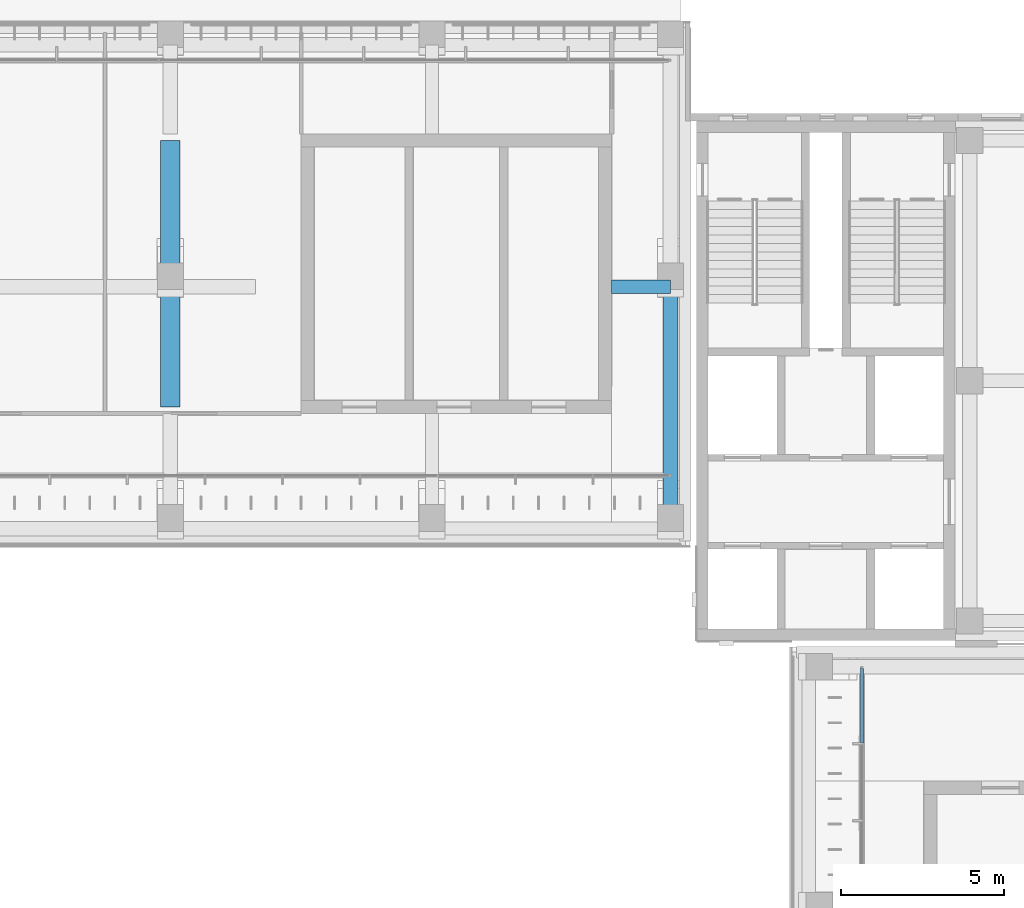
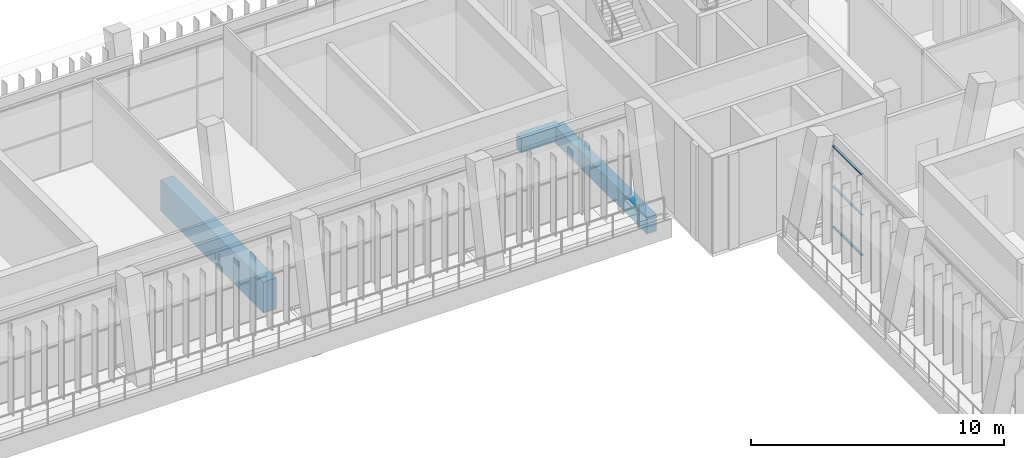
# One storey, part 44 of 89: 3 beams, 3 members, 1 element without a shape of its own.
"""IFC4 building model written with IfcOpenShell, lengths in metres."""

from ifc_helpers import new_model, si_unit, direction, frame, origin, origin_2d, place, context, subcontext, project, spatial, rectangle, extrude, material, material_profile, profile_set, type_object, element, aggregate, save


model = new_model("IFC4")

# Units and contexts
model_context = context("Model", 3, precision=1e-05, world=origin(), true_north=direction((0.0, 1.0)))
body_context = subcontext(model_context, "Body", "Model", "MODEL_VIEW")
ifc_project = project(units=[si_unit("LENGTHUNIT", "METRE"), si_unit("AREAUNIT", "SQUARE_METRE"), si_unit("VOLUMEUNIT", "CUBIC_METRE"), si_unit("PLANEANGLEUNIT", "RADIAN"), si_unit("MASSUNIT", "GRAM", prefix="KILO")], contexts=[model_context])

# Site, building, storey
site_placement = place(None, origin())
site = spatial("IfcSite", under=ifc_project, at=site_placement, CompositionType="ELEMENT")
building_placement = place(site_placement, origin())
building = spatial("IfcBuilding", under=site, at=building_placement, Name="Lantern Court Media Centre", CompositionType="ELEMENT")
storey_placement = place(building_placement, frame((0.0, 0.0, 14.39990234375)))
storey = spatial("IfcBuildingStorey", under=building, at=storey_placement, Name="L03", CompositionType="ELEMENT", Elevation=14.39990234375)

# Curtain wall, members
ifc_material_1 = material(Name="Curtain wall bay 2400")
curtain_wall_type = type_object("IfcCurtainWallType", Name="Curtain wall bay 2400", PredefinedType="NOTDEFINED", material=ifc_material_1)
curtain_wall_placement = place(storey_placement, origin())
curtain_wall = element("IfcCurtainWall", 1, at=curtain_wall_placement, inside=storey, type_object=curtain_wall_type, Name="Curtain wall E inner L03", PredefinedType="NOTDEFINED")
ifc_material_2 = material(Name="Anodised aluminium", Category="aluminium")
ifc_material_profile_1 = material_profile(ifc_material_2, rectangle(XDim=0.10009765625, YDim=0.050048828125, at=origin_2d()), Name="AL 50x100")
ifc_profile_set_1 = profile_set([ifc_material_profile_1], Name="Anodised aluminium")
member_type = type_object("IfcMemberType", Name="Curtain wall transom 100x50", PredefinedType="USERDEFINED", material=ifc_profile_set_1)
member_1_placement = place(storey_placement, frame((85.14990234375, 92.97119140625, 0.025146484375), z_axis=(0.0, 1.0, 0.0), x_axis=(-1.0, 0.0, 0.0)))
member_1 = element("IfcMember", 2, at=member_1_placement, type_object=member_type, Name="CW2 transom 13.1", ObjectType="TRANSOM", PredefinedType="USERDEFINED", context=body_context, shape_type="SweptSolid", body=[
    extrude(rectangle(XDim=0.10009765625, YDim=0.050048828125, at=origin_2d()), origin(), (0.0, 0.0, 1.0), 2.27880859375),
])
member_2_placement = place(storey_placement, frame((85.14990234375, 92.97119140625, 1.97509765625), z_axis=(0.0, 1.0, 0.0), x_axis=(-1.0, 0.0, 0.0)))
member_2 = element("IfcMember", 3, at=member_2_placement, type_object=member_type, Name="CW2 transom 13.2", ObjectType="TRANSOM", PredefinedType="USERDEFINED", context=body_context, shape_type="SweptSolid", body=[
    extrude(rectangle(XDim=0.10009765625, YDim=0.050048828125, at=origin_2d()), origin(), (0.0, 0.0, 1.0), 2.27880859375),
])
member_3_placement = place(storey_placement, frame((85.14990234375, 92.97119140625, 3.925048828125), z_axis=(0.0, 1.0, 0.0), x_axis=(-1.0, 0.0, 0.0)))
member_3 = element("IfcMember", 4, at=member_3_placement, type_object=member_type, Name="CW2 transom 13.3", ObjectType="TRANSOM", PredefinedType="USERDEFINED", context=body_context, shape_type="SweptSolid", body=[
    extrude(rectangle(XDim=0.10009765625, YDim=0.050048828125, at=origin_2d()), origin(), (0.0, 0.0, 1.0), 2.27880859375),
])
aggregate(curtain_wall, [member_1, member_2, member_3])

# Beams
ifc_material_3 = material(Name="Concrete C35", Category="concrete")
ifc_material_profile_2 = material_profile(ifc_material_3, rectangle(XDim=0.39990234375, YDim=0.699951171875, at=origin_2d()), Name="RC 400x700")
ifc_profile_set_2 = profile_set([ifc_material_profile_2], Name="Concrete C35")
beam_type_1 = type_object("IfcBeamType", Name="RC BEAM 400x700", PredefinedType="BEAM", material=ifc_profile_set_2)
beam_1_placement = place(storey_placement, frame((77.5, 106.927001953125, -0.349853515625), z_axis=(1.0, 0.0, 0.0), x_axis=(0.0, 1.0, 0.0)))
element("IfcBeam", 5, at=beam_1_placement, inside=storey, type_object=beam_type_1, Name="LB-N-L03-1-11", PredefinedType="BEAM", context=body_context, shape_type="SweptSolid", body=[
    extrude(rectangle(XDim=0.39990234375, YDim=0.699951171875, at=origin_2d()), origin(), (0.0, 0.0, 1.0), 1.800048828125),
])
ifc_material_profile_3 = material_profile(ifc_material_3, rectangle(XDim=0.449951171875, YDim=0.800048828125, at=origin_2d()), Name="RC 450x800")
ifc_profile_set_3 = profile_set([ifc_material_profile_3], Name="Concrete C35")
beam_type_2 = type_object("IfcBeamType", Name="RC BEAM 450x800", PredefinedType="BEAM", material=ifc_profile_set_3)
beam_2_placement = place(storey_placement, frame((79.300048828125, 99.5166015625, -0.39990234375), z_axis=(0.0, 1.0, 0.0), x_axis=(-1.0, 0.0, 0.0)))
element("IfcBeam", 6, at=beam_2_placement, inside=storey, type_object=beam_type_2, Name="TB-N-L03-7-1", PredefinedType="BEAM", context=body_context, shape_type="SweptSolid", body=[
    extrude(rectangle(XDim=0.449951171875, YDim=0.800048828125, at=origin_2d()), origin(), (0.0, 0.0, 1.0), 7.400146484375),
])
ifc_material_profile_4 = material_profile(ifc_material_3, rectangle(XDim=0.60009765625, YDim=1.5, at=origin_2d()), Name="RC 600x1500")
ifc_profile_set_4 = profile_set([ifc_material_profile_4], Name="Concrete C35")
beam_type_3 = type_object("IfcBeamType", Name="RC BEAM 600x1500", PredefinedType="BEAM", material=ifc_profile_set_4)
beam_3_placement = place(storey_placement, frame((64.0, 103.25, -0.75), z_axis=(0.0, 1.0, 0.0), x_axis=(-1.0, 0.0, 0.0)))
element("IfcBeam", 7, at=beam_3_placement, inside=storey, type_object=beam_type_3, Name="TR-N-L03-1", PredefinedType="BEAM", context=body_context, shape_type="SweptSolid", body=[
    extrude(rectangle(XDim=0.60009765625, YDim=1.5, at=origin_2d()), origin(), (0.0, 0.0, 1.0), 8.14990234375),
])

save(model, "model.ifc")
